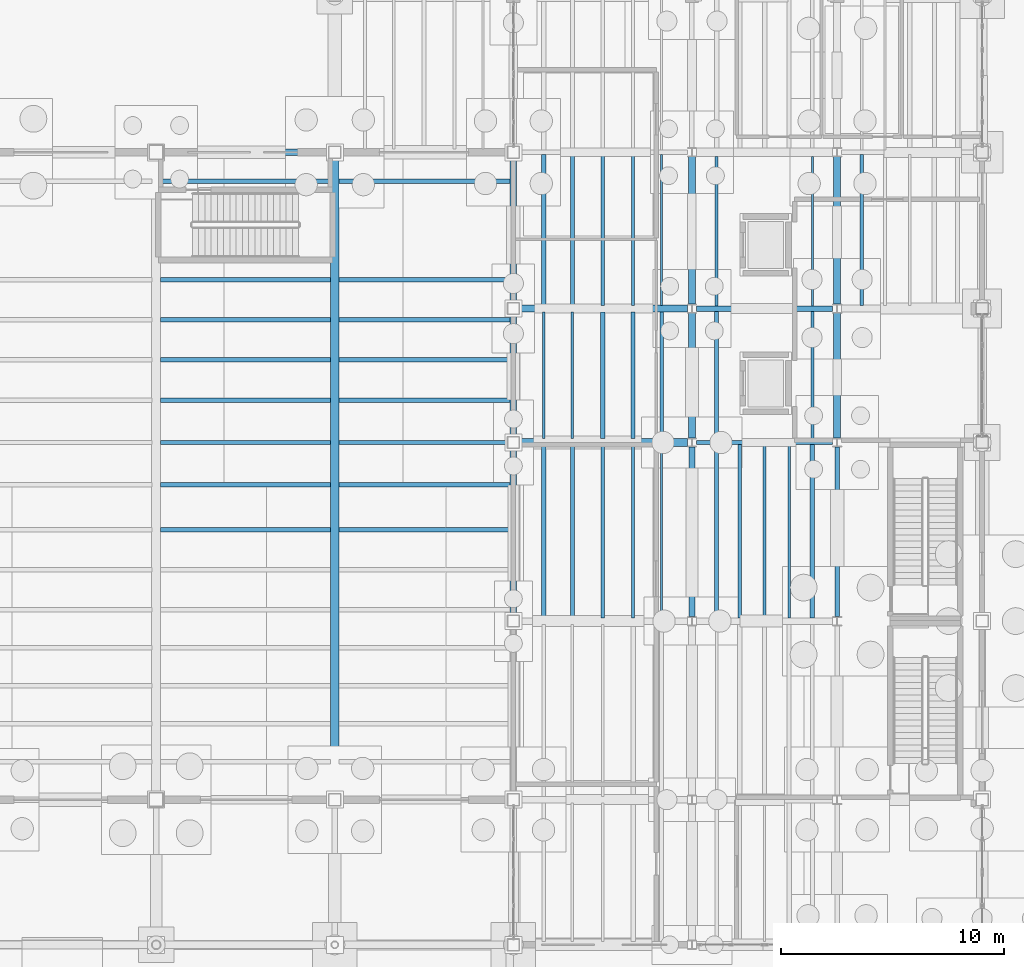
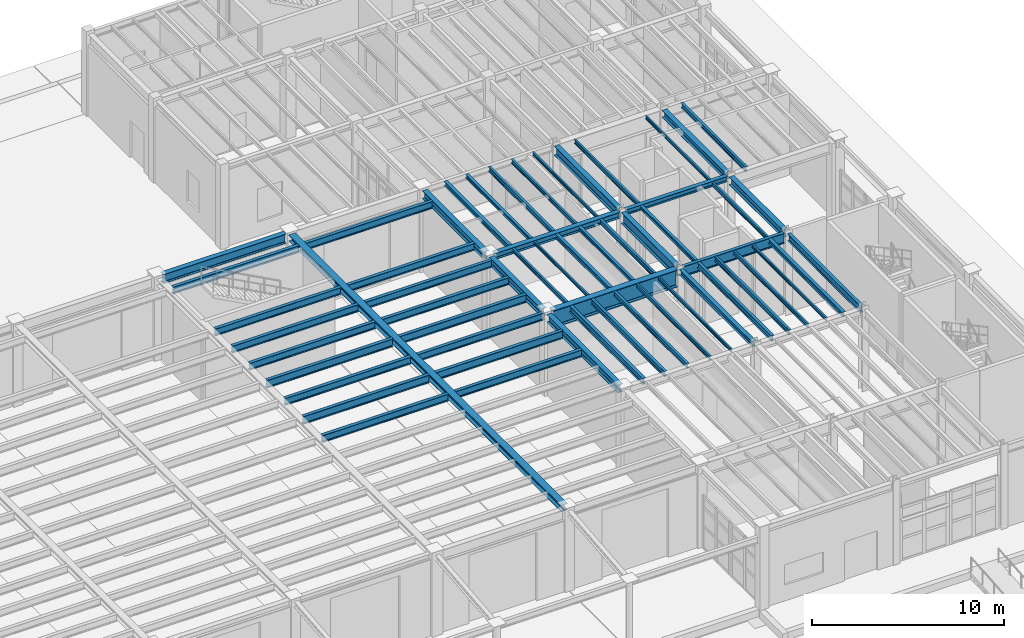
# One storey, part 42 of 86: 56 beams.
"""IFC4 building model written with IfcOpenShell, lengths in metres."""

from ifc_helpers import new_model, si_unit, direction, frame, origin, origin_2d, place, context, subcontext, project, spatial, i_section, extrude, material, material_profile, profile_set, type_object, element, save


model = new_model("IFC4")

# Units and contexts
model_context = context("Model", 3, precision=1e-05, world=origin(), true_north=direction((0.0, 1.0)))
body_context = subcontext(model_context, "Body", "Model", "MODEL_VIEW")
ifc_project = project(units=[si_unit("LENGTHUNIT", "METRE"), si_unit("AREAUNIT", "SQUARE_METRE"), si_unit("VOLUMEUNIT", "CUBIC_METRE"), si_unit("PLANEANGLEUNIT", "RADIAN"), si_unit("MASSUNIT", "GRAM", prefix="KILO"), si_unit("THERMODYNAMICTEMPERATUREUNIT", "KELVIN"), si_unit("POWERUNIT", "WATT")], contexts=[model_context])

# Site, building, storey
site_placement = place(None, origin())
site = spatial("IfcSite", under=ifc_project, at=site_placement, CompositionType="ELEMENT")
building_placement = place(site_placement, origin())
building = spatial("IfcBuilding", under=site, at=building_placement, Name="Zhenchuan Central Fire Station", CompositionType="ELEMENT")
storey_placement = place(building_placement, frame((0.0, 0.0, 0.449951171875)))
storey = spatial("IfcBuildingStorey", under=building, at=storey_placement, Name="L01", CompositionType="ELEMENT", Elevation=0.449951171875)

# Beams
ifc_material = material(Name="Steel Q355B", Category="steel")
ifc_material_profile_1 = material_profile(ifc_material, i_section(OverallWidth=0.25, OverallDepth=0.340087890625, WebThickness=0.009033203125, FlangeThickness=0.013916015625, FilletRadius=0.01806640625, at=origin_2d()), Name="HM 340x250")
ifc_profile_set_1 = profile_set([ifc_material_profile_1], Name="Steel Q355B")
beam_type_1 = type_object("IfcBeamType", Name="BM-HM340", PredefinedType="BEAM", material=ifc_profile_set_1)
beam_1_placement = place(storey_placement, frame((148.199951171875, 28.5, 5.030029296875), z_axis=(1.0, 0.0, 0.0), x_axis=(0.0, 1.0, 0.0)))
element("IfcBeam", 1, at=beam_1_placement, inside=storey, type_object=beam_type_1, Name="L02 Girder EW 0051", PredefinedType="BEAM", context=body_context, shape_type="SweptSolid", body=[
    extrude(i_section(OverallWidth=0.25, OverallDepth=0.340087890625, WebThickness=0.009033203125, FlangeThickness=0.013916015625, FilletRadius=0.01806640625, at=origin_2d()), origin(), (0.0, 0.0, 1.0), 6.10009765625),
])
beam_2_placement = place(storey_placement, frame((148.0, 14.699951171875, 5.030029296875), z_axis=(0.0, 1.0, 0.0), x_axis=(-1.0, 0.0, 0.0)))
element("IfcBeam", 2, at=beam_2_placement, inside=storey, type_object=beam_type_1, Name="L02 Girder NS 0163", PredefinedType="BEAM", context=body_context, shape_type="SweptSolid", body=[
    extrude(i_section(OverallWidth=0.25, OverallDepth=0.340087890625, WebThickness=0.009033203125, FlangeThickness=0.013916015625, FilletRadius=0.01806640625, at=origin_2d()), origin(), (0.0, 0.0, 1.0), 7.60009765625),
])
ifc_material_profile_2 = material_profile(ifc_material, i_section(OverallWidth=0.300048828125, OverallDepth=0.389892578125, WebThickness=0.010009765625, FlangeThickness=0.01611328125, FilletRadius=0.02001953125, at=origin_2d()), Name="HM 390x300")
ifc_profile_set_2 = profile_set([ifc_material_profile_2], Name="Steel Q355B")
beam_type_2 = type_object("IfcBeamType", Name="BM-HM390-INT", PredefinedType="BEAM", material=ifc_profile_set_2)
beam_3_placement = place(storey_placement, frame((140.27490234375, 28.5, 5.005126953125), z_axis=(1.0, 0.0, 0.0), x_axis=(0.0, 1.0, 0.0)))
element("IfcBeam", 3, at=beam_3_placement, inside=storey, type_object=beam_type_2, Name="L02 Girder EW 0050", PredefinedType="BEAM", context=body_context, shape_type="SweptSolid", body=[
    extrude(i_section(OverallWidth=0.300048828125, OverallDepth=0.389892578125, WebThickness=0.010009765625, FlangeThickness=0.01611328125, FilletRadius=0.02001953125, at=origin_2d()), origin(), (0.0, 0.0, 1.0), 7.525146484375),
])
ifc_material_profile_3 = material_profile(ifc_material, i_section(OverallWidth=0.300048828125, OverallDepth=0.43994140625, WebThickness=0.010986328125, FlangeThickness=0.01806640625, FilletRadius=0.02197265625, at=origin_2d()), Name="HM 440x300")
ifc_profile_set_3 = profile_set([ifc_material_profile_3], Name="Steel Q355B")
beam_type_3 = type_object("IfcBeamType", Name="BM-HM440-INT", PredefinedType="BEAM", material=ifc_profile_set_3)
beam_4_placement = place(storey_placement, frame((154.5, 28.699951171875, 4.97998046875), z_axis=(0.0, 1.0, 0.0), x_axis=(-1.0, 0.0, 0.0)))
element("IfcBeam", 4, at=beam_4_placement, inside=storey, type_object=beam_type_3, Name="L02 Girder NS 0172", PredefinedType="BEAM", context=body_context, shape_type="SweptSolid", body=[
    extrude(i_section(OverallWidth=0.300048828125, OverallDepth=0.43994140625, WebThickness=0.010986328125, FlangeThickness=0.01806640625, FilletRadius=0.02197265625, at=origin_2d()), origin(), (0.0, 0.0, 1.0), 6.60009765625),
])
ifc_material_profile_4 = material_profile(ifc_material, i_section(OverallWidth=0.300048828125, OverallDepth=0.5, WebThickness=0.010986328125, FlangeThickness=0.01806640625, FilletRadius=0.02197265625, at=origin_2d()), Name="HM 500x300")
ifc_profile_set_4 = profile_set([ifc_material_profile_4], Name="Steel Q355B")
beam_type_4 = type_object("IfcBeamType", Name="BM-HM500-INT", PredefinedType="BEAM", material=ifc_profile_set_4)
beam_5_placement = place(storey_placement, frame((140.0, 14.77490234375, 4.949951171875), z_axis=(0.0, 1.0, 0.0), x_axis=(-1.0, 0.0, 0.0)))
element("IfcBeam", 5, at=beam_5_placement, inside=storey, type_object=beam_type_4, Name="L02 Girder NS 0156", PredefinedType="BEAM", context=body_context, shape_type="SweptSolid", body=[
    extrude(i_section(OverallWidth=0.300048828125, OverallDepth=0.5, WebThickness=0.010986328125, FlangeThickness=0.01806640625, FilletRadius=0.02197265625, at=origin_2d()), origin(), (0.0, 0.0, 1.0), 7.4501953125),
])
beam_6_placement = place(storey_placement, frame((140.0, 22.77490234375, 4.949951171875), z_axis=(0.0, 1.0, 0.0), x_axis=(-1.0, 0.0, 0.0)))
element("IfcBeam", 6, at=beam_6_placement, inside=storey, type_object=beam_type_4, Name="L02 Girder NS 0157", PredefinedType="BEAM", context=body_context, shape_type="SweptSolid", body=[
    extrude(i_section(OverallWidth=0.300048828125, OverallDepth=0.5, WebThickness=0.010986328125, FlangeThickness=0.01806640625, FilletRadius=0.02197265625, at=origin_2d()), origin(), (0.0, 0.0, 1.0), 5.4501953125),
])
beam_7_placement = place(storey_placement, frame((140.0, 28.77490234375, 4.949951171875), z_axis=(0.0, 1.0, 0.0), x_axis=(-1.0, 0.0, 0.0)))
element("IfcBeam", 7, at=beam_7_placement, inside=storey, type_object=beam_type_4, Name="L02 Girder NS 0158", PredefinedType="BEAM", context=body_context, shape_type="SweptSolid", body=[
    extrude(i_section(OverallWidth=0.300048828125, OverallDepth=0.5, WebThickness=0.010986328125, FlangeThickness=0.01806640625, FilletRadius=0.02197265625, at=origin_2d()), origin(), (0.0, 0.0, 1.0), 6.4501953125),
])
beam_8_placement = place(storey_placement, frame((154.5, 22.699951171875, 4.949951171875), z_axis=(0.0, 1.0, 0.0), x_axis=(-1.0, 0.0, 0.0)))
element("IfcBeam", 8, at=beam_8_placement, inside=storey, type_object=beam_type_4, Name="L02 Girder NS 0171", PredefinedType="BEAM", context=body_context, shape_type="SweptSolid", body=[
    extrude(i_section(OverallWidth=0.300048828125, OverallDepth=0.5, WebThickness=0.010986328125, FlangeThickness=0.01806640625, FilletRadius=0.02197265625, at=origin_2d()), origin(), (0.0, 0.0, 1.0), 5.60009765625),
])
ifc_material_profile_5 = material_profile(ifc_material, i_section(OverallWidth=0.300048828125, OverallDepth=0.587890625, WebThickness=0.011962890625, FlangeThickness=0.02001953125, FilletRadius=0.02392578125, at=origin_2d()), Name="HM 588x300")
ifc_profile_set_5 = profile_set([ifc_material_profile_5], Name="Steel Q355B")
beam_type_5 = type_object("IfcBeamType", Name="BM-HM588", PredefinedType="BEAM", material=ifc_profile_set_5)
beam_9_placement = place(storey_placement, frame((124.324951171875, 35.5, 4.906005859375), z_axis=(1.0, 0.0, 0.0), x_axis=(0.0, 1.0, 0.0)))
element("IfcBeam", 9, at=beam_9_placement, inside=storey, type_object=beam_type_5, Name="L02 Girder EW 0067", PredefinedType="BEAM", context=body_context, shape_type="SweptSolid", body=[
    extrude(i_section(OverallWidth=0.300048828125, OverallDepth=0.587890625, WebThickness=0.011962890625, FlangeThickness=0.02001953125, FilletRadius=0.02392578125, at=origin_2d()), origin(), (0.0, 0.0, 1.0), 7.400146484375),
])
beam_10_placement = place(storey_placement, frame((148.0, 28.699951171875, 4.906005859375), z_axis=(0.0, 1.0, 0.0), x_axis=(-1.0, 0.0, 0.0)))
element("IfcBeam", 10, at=beam_10_placement, inside=storey, type_object=beam_type_5, Name="L02 Girder NS 0165", PredefinedType="BEAM", context=body_context, shape_type="SweptSolid", body=[
    extrude(i_section(OverallWidth=0.300048828125, OverallDepth=0.587890625, WebThickness=0.011962890625, FlangeThickness=0.02001953125, FilletRadius=0.02392578125, at=origin_2d()), origin(), (0.0, 0.0, 1.0), 6.60009765625),
])
ifc_material_profile_6 = material_profile(ifc_material, i_section(OverallWidth=0.199951171875, OverallDepth=0.449951171875, WebThickness=0.009033203125, FlangeThickness=0.013916015625, FilletRadius=0.01806640625, at=origin_2d()), Name="HN 450x200")
ifc_profile_set_6 = profile_set([ifc_material_profile_6], Name="Steel Q355B")
beam_type_6 = type_object("IfcBeamType", Name="BM-HN450", PredefinedType="BEAM", material=ifc_profile_set_6)
beam_11_placement = place(storey_placement, frame((154.5, 14.699951171875, 4.97509765625), z_axis=(0.0, 1.0, 0.0), x_axis=(-1.0, 0.0, 0.0)))
element("IfcBeam", 11, at=beam_11_placement, inside=storey, type_object=beam_type_6, Name="L02 Girder NS 0170", PredefinedType="BEAM", context=body_context, shape_type="SweptSolid", body=[
    extrude(i_section(OverallWidth=0.199951171875, OverallDepth=0.449951171875, WebThickness=0.009033203125, FlangeThickness=0.013916015625, FilletRadius=0.01806640625, at=origin_2d()), origin(), (0.0, 0.0, 1.0), 7.60009765625),
])
for number, where, z_axis, x_axis, name in (
    (12, (124.197021484375, 18.60009765625, 4.97509765625), (1.0, 0.0, 0.0), (0.0, 1.0, 0.0), "Appliance Hall Secondary Floor Joist 0949"),
    (13, (124.197021484375, 22.5, 4.97509765625), (1.0, 0.0, 0.0), (0.0, 1.0, 0.0), "Appliance Hall Secondary Floor Joist 0951"),
    (14, (124.197021484375, 26.199951171875, 4.97509765625), (1.0, 0.0, 0.0), (0.0, 1.0, 0.0), "Appliance Hall Secondary Floor Joist 0953"),
    (15, (124.197021484375, 28.0, 4.97509765625), (1.0, 0.0, 0.0), (0.0, 1.0, 0.0), "Appliance Hall Secondary Floor Joist 0954"),
    (16, (124.197021484375, 29.800048828125, 4.97509765625), (1.0, 0.0, 0.0), (0.0, 1.0, 0.0), "Appliance Hall Secondary Floor Joist 0955"),
    (17, (124.197021484375, 34.199951171875, 4.97509765625), (1.0, 0.0, 0.0), (0.0, 1.0, 0.0), "Appliance Hall Secondary Floor Joist 0956"),
):
    element("IfcBeam", number, at=place(storey_placement, frame(where, z_axis=z_axis, x_axis=x_axis)), inside=storey, type_object=beam_type_6, Name=name, PredefinedType="BEAM", context=body_context, shape_type="SweptSolid", body=[
        extrude(i_section(OverallWidth=0.199951171875, OverallDepth=0.449951171875, WebThickness=0.009033203125, FlangeThickness=0.013916015625, FilletRadius=0.01806640625, at=origin_2d()), origin(), (0.0, 0.0, 1.0), 7.60595703125),
    ])
for number, where, z_axis, x_axis, name in (
    (18, (132.197021484375, 18.60009765625, 4.97509765625), (1.0, 0.0, 0.0), (0.0, 1.0, 0.0), "Appliance Hall Secondary Floor Joist 0963"),
    (19, (132.197021484375, 22.5, 4.97509765625), (1.0, 0.0, 0.0), (0.0, 1.0, 0.0), "Appliance Hall Secondary Floor Joist 0965"),
    (20, (132.197021484375, 26.199951171875, 4.97509765625), (1.0, 0.0, 0.0), (0.0, 1.0, 0.0), "Appliance Hall Secondary Floor Joist 0967"),
    (21, (132.197021484375, 28.0, 4.97509765625), (1.0, 0.0, 0.0), (0.0, 1.0, 0.0), "Appliance Hall Secondary Floor Joist 0968"),
    (22, (132.197021484375, 29.800048828125, 4.97509765625), (1.0, 0.0, 0.0), (0.0, 1.0, 0.0), "Appliance Hall Secondary Floor Joist 0969"),
    (23, (132.197021484375, 34.199951171875, 4.97509765625), (1.0, 0.0, 0.0), (0.0, 1.0, 0.0), "Appliance Hall Secondary Floor Joist 0970"),
):
    element("IfcBeam", number, at=place(storey_placement, frame(where, z_axis=z_axis, x_axis=x_axis)), inside=storey, type_object=beam_type_6, Name=name, PredefinedType="BEAM", context=body_context, shape_type="SweptSolid", body=[
        extrude(i_section(OverallWidth=0.199951171875, OverallDepth=0.449951171875, WebThickness=0.009033203125, FlangeThickness=0.013916015625, FilletRadius=0.01806640625, at=origin_2d()), origin(), (0.0, 0.0, 1.0), 7.656005859375),
    ])
ifc_material_profile_7 = material_profile(ifc_material, i_section(OverallWidth=0.199951171875, OverallDepth=0.5, WebThickness=0.010009765625, FlangeThickness=0.01611328125, FilletRadius=0.02001953125, at=origin_2d()), Name="HN 500x200")
ifc_profile_set_7 = profile_set([ifc_material_profile_7], Name="Steel Q355B")
beam_type_7 = type_object("IfcBeamType", Name="BM-HN500-INT", PredefinedType="BEAM", material=ifc_profile_set_7)
for number, where, z_axis, x_axis, name in (
    (24, (124.197021484375, 20.60009765625, 4.949951171875), (1.0, 0.0, 0.0), (0.0, 1.0, 0.0), "Appliance Hall Secondary Floor Joist 0950"),
    (25, (124.197021484375, 24.39990234375, 4.949951171875), (1.0, 0.0, 0.0), (0.0, 1.0, 0.0), "Appliance Hall Secondary Floor Joist 0952"),
):
    element("IfcBeam", number, at=place(storey_placement, frame(where, z_axis=z_axis, x_axis=x_axis)), inside=storey, type_object=beam_type_7, Name=name, PredefinedType="BEAM", context=body_context, shape_type="SweptSolid", body=[
        extrude(i_section(OverallWidth=0.199951171875, OverallDepth=0.5, WebThickness=0.010009765625, FlangeThickness=0.01611328125, FilletRadius=0.02001953125, at=origin_2d()), origin(), (0.0, 0.0, 1.0), 7.60595703125),
    ])
for number, where, z_axis, x_axis, name in (
    (26, (132.197021484375, 20.60009765625, 4.949951171875), (1.0, 0.0, 0.0), (0.0, 1.0, 0.0), "Appliance Hall Secondary Floor Joist 0964"),
    (27, (132.197021484375, 24.39990234375, 4.949951171875), (1.0, 0.0, 0.0), (0.0, 1.0, 0.0), "Appliance Hall Secondary Floor Joist 0966"),
):
    element("IfcBeam", number, at=place(storey_placement, frame(where, z_axis=z_axis, x_axis=x_axis)), inside=storey, type_object=beam_type_7, Name=name, PredefinedType="BEAM", context=body_context, shape_type="SweptSolid", body=[
        extrude(i_section(OverallWidth=0.199951171875, OverallDepth=0.5, WebThickness=0.010009765625, FlangeThickness=0.01611328125, FilletRadius=0.02001953125, at=origin_2d()), origin(), (0.0, 0.0, 1.0), 7.656005859375),
    ])
ifc_material_profile_8 = material_profile(ifc_material, i_section(OverallWidth=0.199951171875, OverallDepth=0.64990234375, WebThickness=0.011962890625, FlangeThickness=0.02001953125, FilletRadius=0.02197265625, at=origin_2d()), Name="HN 650x200")
ifc_profile_set_8 = profile_set([ifc_material_profile_8], Name="Steel Q355B")
beam_type_8 = type_object("IfcBeamType", Name="BM-HN650", PredefinedType="BEAM", material=ifc_profile_set_8)
beam_12_placement = place(storey_placement, frame((148.199951171875, 22.5, 4.875), z_axis=(1.0, 0.0, 0.0), x_axis=(0.0, 1.0, 0.0)))
element("IfcBeam", 28, at=beam_12_placement, inside=storey, type_object=beam_type_8, Name="L02 Girder EW 0043", PredefinedType="BEAM", context=body_context, shape_type="SweptSolid", body=[
    extrude(i_section(OverallWidth=0.199951171875, OverallDepth=0.64990234375, WebThickness=0.011962890625, FlangeThickness=0.02001953125, FilletRadius=0.02197265625, at=origin_2d()), origin(), (0.0, 0.0, 1.0), 6.10009765625),
])
ifc_material_profile_9 = material_profile(ifc_material, i_section(OverallWidth=0.300048828125, OverallDepth=0.699951171875, WebThickness=0.012939453125, FlangeThickness=0.02392578125, FilletRadius=0.02392578125, at=origin_2d()), Name="HN 700x300")
ifc_profile_set_9 = profile_set([ifc_material_profile_9], Name="Steel Q355B")
beam_type_9 = type_object("IfcBeamType", Name="BM-HN700", PredefinedType="BEAM", material=ifc_profile_set_9)
beam_13_placement = place(storey_placement, frame((148.0, 22.699951171875, 4.85009765625), z_axis=(0.0, 1.0, 0.0), x_axis=(-1.0, 0.0, 0.0)))
element("IfcBeam", 29, at=beam_13_placement, inside=storey, type_object=beam_type_9, Name="L02 Girder NS 0164", PredefinedType="BEAM", context=body_context, shape_type="SweptSolid", body=[
    extrude(i_section(OverallWidth=0.300048828125, OverallDepth=0.699951171875, WebThickness=0.012939453125, FlangeThickness=0.02392578125, FilletRadius=0.02392578125, at=origin_2d()), origin(), (0.0, 0.0, 1.0), 5.60009765625),
])
ifc_material_profile_10 = material_profile(ifc_material, i_section(OverallWidth=0.39990234375, OverallDepth=0.39990234375, WebThickness=0.012939453125, FlangeThickness=0.02099609375, FilletRadius=0.02197265625, at=origin_2d()), Name="HW 400x400")
ifc_profile_set_10 = profile_set([ifc_material_profile_10], Name="Steel Q355B")
beam_type_10 = type_object("IfcBeamType", Name="BM-HW400-INT", PredefinedType="BEAM", material=ifc_profile_set_10)
beam_14_placement = place(storey_placement, frame((132.0, 6.77490234375, 5.0), z_axis=(0.0, 1.0, 0.0), x_axis=(-1.0, 0.0, 0.0)))
element("IfcBeam", 30, at=beam_14_placement, inside=storey, type_object=beam_type_10, Name="Pratt Transfer Truss TT-10 Bottom Chord", PredefinedType="BEAM", context=body_context, shape_type="SweptSolid", body=[
    extrude(i_section(OverallWidth=0.39990234375, OverallDepth=0.39990234375, WebThickness=0.012939453125, FlangeThickness=0.02099609375, FilletRadius=0.02197265625, at=origin_2d()), origin(), (0.0, 0.0, 1.0), 28.4501953125),
])
ifc_material_profile_11 = material_profile(ifc_material, i_section(OverallWidth=0.3798828125, OverallDepth=1.10009765625, WebThickness=0.02001953125, FlangeThickness=0.035888671875, FilletRadius=0.02392578125, at=origin_2d()), Name="PG 1100x380")
ifc_profile_set_11 = profile_set([ifc_material_profile_11], Name="Steel Q355B")
beam_type_11 = type_object("IfcBeamType", Name="BM-PG1100", PredefinedType="BEAM", material=ifc_profile_set_11)
beam_15_placement = place(storey_placement, frame((140.27490234375, 22.5, 4.650146484375), z_axis=(1.0, 0.0, 0.0), x_axis=(0.0, 1.0, 0.0)))
element("IfcBeam", 31, at=beam_15_placement, inside=storey, type_object=beam_type_11, Name="L02 Girder EW 0042", PredefinedType="BEAM", context=body_context, shape_type="SweptSolid", body=[
    extrude(i_section(OverallWidth=0.3798828125, OverallDepth=1.10009765625, WebThickness=0.02001953125, FlangeThickness=0.035888671875, FilletRadius=0.02392578125, at=origin_2d()), origin(), (0.0, 0.0, 1.0), 7.525146484375),
])
ifc_material_profile_12 = material_profile(ifc_material, i_section(OverallWidth=0.175048828125, OverallDepth=0.243896484375, WebThickness=0.007080078125, FlangeThickness=0.010986328125, FilletRadius=0.012939453125, at=origin_2d()), Name="HM 244x175")
ifc_profile_set_12 = profile_set([ifc_material_profile_12], Name="Steel Q355B")
beam_type_12 = type_object("IfcBeamType", Name="JS-HM244", PredefinedType="JOIST", material=ifc_profile_set_12)
beam_16_placement = place(storey_placement, frame((145.360107421875, 22.68701171875, 5.078125), z_axis=(0.0, 1.0, 0.0), x_axis=(-1.0, 0.0, 0.0)))
element("IfcBeam", 32, at=beam_16_placement, inside=storey, type_object=beam_type_12, Name="L02 Secondary Joist 0130", PredefinedType="JOIST", context=body_context, shape_type="SweptSolid", body=[
    extrude(i_section(OverallWidth=0.175048828125, OverallDepth=0.243896484375, WebThickness=0.007080078125, FlangeThickness=0.010986328125, FilletRadius=0.012939453125, at=origin_2d()), origin(), (0.0, 0.0, 1.0), 5.666015625),
])
beam_17_placement = place(storey_placement, frame((149.10498046875, 22.596923828125, 5.078125), z_axis=(0.0, 1.0, 0.0), x_axis=(-1.0, 0.0, 0.0)))
element("IfcBeam", 33, at=beam_17_placement, inside=storey, type_object=beam_type_12, Name="L02 Secondary Joist 0132", PredefinedType="JOIST", context=body_context, shape_type="SweptSolid", body=[
    extrude(i_section(OverallWidth=0.175048828125, OverallDepth=0.243896484375, WebThickness=0.007080078125, FlangeThickness=0.010986328125, FilletRadius=0.012939453125, at=origin_2d()), origin(), (0.0, 0.0, 1.0), 5.781005859375),
])
beam_18_placement = place(storey_placement, frame((142.639892578125, 28.64697265625, 5.078125), z_axis=(0.0, 1.0, 0.0), x_axis=(-1.0, 0.0, 0.0)))
element("IfcBeam", 34, at=beam_18_placement, inside=storey, type_object=beam_type_12, Name="L02 Secondary Joist 0165", PredefinedType="JOIST", context=body_context, shape_type="SweptSolid", body=[
    extrude(i_section(OverallWidth=0.175048828125, OverallDepth=0.243896484375, WebThickness=0.007080078125, FlangeThickness=0.010986328125, FilletRadius=0.012939453125, at=origin_2d()), origin(), (0.0, 0.0, 1.0), 6.756103515625),
])
ifc_material_profile_13 = material_profile(ifc_material, i_section(OverallWidth=0.199951171875, OverallDepth=0.2939453125, WebThickness=0.008056640625, FlangeThickness=0.011962890625, FilletRadius=0.01611328125, at=origin_2d()), Name="HM 294x200")
ifc_profile_set_13 = profile_set([ifc_material_profile_13], Name="Steel Q355B")
beam_type_13 = type_object("IfcBeamType", Name="JS-HM294", PredefinedType="JOIST", material=ifc_profile_set_13)
beam_19_placement = place(storey_placement, frame((153.39501953125, 14.64697265625, 5.052978515625), z_axis=(0.0, 1.0, 0.0), x_axis=(-1.0, 0.0, 0.0)))
element("IfcBeam", 35, at=beam_19_placement, inside=storey, type_object=beam_type_13, Name="L02 Secondary Joist 0101", PredefinedType="JOIST", context=body_context, shape_type="SweptSolid", body=[
    extrude(i_section(OverallWidth=0.199951171875, OverallDepth=0.2939453125, WebThickness=0.008056640625, FlangeThickness=0.011962890625, FilletRadius=0.01611328125, at=origin_2d()), origin(), (0.0, 0.0, 1.0), 7.756103515625),
])
beam_20_placement = place(storey_placement, frame((144.0, 22.68701171875, 5.052978515625), z_axis=(0.0, 1.0, 0.0), x_axis=(-1.0, 0.0, 0.0)))
element("IfcBeam", 36, at=beam_20_placement, inside=storey, type_object=beam_type_13, Name="L02 Secondary Joist 0129", PredefinedType="JOIST", context=body_context, shape_type="SweptSolid", body=[
    extrude(i_section(OverallWidth=0.199951171875, OverallDepth=0.2939453125, WebThickness=0.008056640625, FlangeThickness=0.011962890625, FilletRadius=0.01611328125, at=origin_2d()), origin(), (0.0, 0.0, 1.0), 5.666015625),
])
beam_21_placement = place(storey_placement, frame((141.360107421875, 28.64697265625, 5.052978515625), z_axis=(0.0, 1.0, 0.0), x_axis=(-1.0, 0.0, 0.0)))
element("IfcBeam", 37, at=beam_21_placement, inside=storey, type_object=beam_type_13, Name="L02 Secondary Joist 0164", PredefinedType="JOIST", context=body_context, shape_type="SweptSolid", body=[
    extrude(i_section(OverallWidth=0.199951171875, OverallDepth=0.2939453125, WebThickness=0.008056640625, FlangeThickness=0.011962890625, FilletRadius=0.01611328125, at=origin_2d()), origin(), (0.0, 0.0, 1.0), 6.756103515625),
])
ifc_material_profile_14 = material_profile(ifc_material, i_section(OverallWidth=0.10009765625, OverallDepth=0.199951171875, WebThickness=0.005615234375, FlangeThickness=0.008056640625, FilletRadius=0.010986328125, at=origin_2d()), Name="HN 200x100")
ifc_profile_set_14 = profile_set([ifc_material_profile_14], Name="Steel Q355B")
beam_type_14 = type_object("IfcBeamType", Name="JS-HN200", PredefinedType="JOIST", material=ifc_profile_set_14)
beam_22_placement = place(storey_placement, frame((146.639892578125, 14.64697265625, 5.10009765625), z_axis=(0.0, 1.0, 0.0), x_axis=(-1.0, 0.0, 0.0)))
element("IfcBeam", 38, at=beam_22_placement, inside=storey, type_object=beam_type_14, Name="L02 Secondary Joist 0096", PredefinedType="JOIST", context=body_context, shape_type="SweptSolid", body=[
    extrude(i_section(OverallWidth=0.10009765625, OverallDepth=0.199951171875, WebThickness=0.005615234375, FlangeThickness=0.008056640625, FilletRadius=0.010986328125, at=origin_2d()), origin(), (0.0, 0.0, 1.0), 7.666015625),
])
beam_23_placement = place(storey_placement, frame((152.35498046875, 14.64697265625, 5.10009765625), z_axis=(0.0, 1.0, 0.0), x_axis=(-1.0, 0.0, 0.0)))
element("IfcBeam", 39, at=beam_23_placement, inside=storey, type_object=beam_type_14, Name="L02 Secondary Joist 0100", PredefinedType="JOIST", context=body_context, shape_type="SweptSolid", body=[
    extrude(i_section(OverallWidth=0.10009765625, OverallDepth=0.199951171875, WebThickness=0.005615234375, FlangeThickness=0.008056640625, FilletRadius=0.010986328125, at=origin_2d()), origin(), (0.0, 0.0, 1.0), 7.756103515625),
])
beam_24_placement = place(storey_placement, frame((142.639892578125, 22.68701171875, 5.10009765625), z_axis=(0.0, 1.0, 0.0), x_axis=(-1.0, 0.0, 0.0)))
element("IfcBeam", 40, at=beam_24_placement, inside=storey, type_object=beam_type_14, Name="L02 Secondary Joist 0128", PredefinedType="JOIST", context=body_context, shape_type="SweptSolid", body=[
    extrude(i_section(OverallWidth=0.10009765625, OverallDepth=0.199951171875, WebThickness=0.005615234375, FlangeThickness=0.008056640625, FilletRadius=0.010986328125, at=origin_2d()), origin(), (0.0, 0.0, 1.0), 5.666015625),
])
beam_25_placement = place(storey_placement, frame((146.639892578125, 28.64697265625, 5.10009765625), z_axis=(0.0, 1.0, 0.0), x_axis=(-1.0, 0.0, 0.0)))
element("IfcBeam", 41, at=beam_25_placement, inside=storey, type_object=beam_type_14, Name="L02 Secondary Joist 0168", PredefinedType="JOIST", context=body_context, shape_type="SweptSolid", body=[
    extrude(i_section(OverallWidth=0.10009765625, OverallDepth=0.199951171875, WebThickness=0.005615234375, FlangeThickness=0.008056640625, FilletRadius=0.010986328125, at=origin_2d()), origin(), (0.0, 0.0, 1.0), 6.756103515625),
])
beam_26_placement = place(storey_placement, frame((153.39501953125, 28.6220703125, 5.10009765625), z_axis=(0.0, 1.0, 0.0), x_axis=(-1.0, 0.0, 0.0)))
element("IfcBeam", 42, at=beam_26_placement, inside=storey, type_object=beam_type_14, Name="L02 Secondary Joist 0170", PredefinedType="JOIST", context=body_context, shape_type="SweptSolid", body=[
    extrude(i_section(OverallWidth=0.10009765625, OverallDepth=0.199951171875, WebThickness=0.005615234375, FlangeThickness=0.008056640625, FilletRadius=0.010986328125, at=origin_2d()), origin(), (0.0, 0.0, 1.0), 6.69091796875),
])
ifc_material_profile_15 = material_profile(ifc_material, i_section(OverallWidth=0.125, OverallDepth=0.25, WebThickness=0.006103515625, FlangeThickness=0.009033203125, FilletRadius=0.011962890625, at=origin_2d()), Name="HN 250x125")
ifc_profile_set_15 = profile_set([ifc_material_profile_15], Name="Steel Q355B")
beam_type_15 = type_object("IfcBeamType", Name="JS-HN250", PredefinedType="JOIST", material=ifc_profile_set_15)
beam_27_placement = place(storey_placement, frame((145.360107421875, 14.64697265625, 5.074951171875), z_axis=(0.0, 1.0, 0.0), x_axis=(-1.0, 0.0, 0.0)))
element("IfcBeam", 43, at=beam_27_placement, inside=storey, type_object=beam_type_15, Name="L02 Secondary Joist 0095", PredefinedType="JOIST", context=body_context, shape_type="SweptSolid", body=[
    extrude(i_section(OverallWidth=0.125, OverallDepth=0.25, WebThickness=0.006103515625, FlangeThickness=0.009033203125, FilletRadius=0.011962890625, at=origin_2d()), origin(), (0.0, 0.0, 1.0), 7.666015625),
])
beam_28_placement = place(storey_placement, frame((151.25, 14.64697265625, 5.074951171875), z_axis=(0.0, 1.0, 0.0), x_axis=(-1.0, 0.0, 0.0)))
element("IfcBeam", 44, at=beam_28_placement, inside=storey, type_object=beam_type_15, Name="L02 Secondary Joist 0099", PredefinedType="JOIST", context=body_context, shape_type="SweptSolid", body=[
    extrude(i_section(OverallWidth=0.125, OverallDepth=0.25, WebThickness=0.006103515625, FlangeThickness=0.009033203125, FilletRadius=0.011962890625, at=origin_2d()), origin(), (0.0, 0.0, 1.0), 7.756103515625),
])
beam_29_placement = place(storey_placement, frame((141.360107421875, 22.68701171875, 5.074951171875), z_axis=(0.0, 1.0, 0.0), x_axis=(-1.0, 0.0, 0.0)))
element("IfcBeam", 45, at=beam_29_placement, inside=storey, type_object=beam_type_15, Name="L02 Secondary Joist 0127", PredefinedType="JOIST", context=body_context, shape_type="SweptSolid", body=[
    extrude(i_section(OverallWidth=0.125, OverallDepth=0.25, WebThickness=0.006103515625, FlangeThickness=0.009033203125, FilletRadius=0.011962890625, at=origin_2d()), origin(), (0.0, 0.0, 1.0), 5.666015625),
])
beam_30_placement = place(storey_placement, frame((153.39501953125, 22.596923828125, 5.074951171875), z_axis=(0.0, 1.0, 0.0), x_axis=(-1.0, 0.0, 0.0)))
element("IfcBeam", 46, at=beam_30_placement, inside=storey, type_object=beam_type_15, Name="L02 Secondary Joist 0133", PredefinedType="JOIST", context=body_context, shape_type="SweptSolid", body=[
    extrude(i_section(OverallWidth=0.125, OverallDepth=0.25, WebThickness=0.006103515625, FlangeThickness=0.009033203125, FilletRadius=0.011962890625, at=origin_2d()), origin(), (0.0, 0.0, 1.0), 5.781005859375),
])
beam_31_placement = place(storey_placement, frame((145.360107421875, 28.64697265625, 5.074951171875), z_axis=(0.0, 1.0, 0.0), x_axis=(-1.0, 0.0, 0.0)))
element("IfcBeam", 47, at=beam_31_placement, inside=storey, type_object=beam_type_15, Name="L02 Secondary Joist 0167", PredefinedType="JOIST", context=body_context, shape_type="SweptSolid", body=[
    extrude(i_section(OverallWidth=0.125, OverallDepth=0.25, WebThickness=0.006103515625, FlangeThickness=0.009033203125, FilletRadius=0.011962890625, at=origin_2d()), origin(), (0.0, 0.0, 1.0), 6.756103515625),
])
beam_32_placement = place(storey_placement, frame((149.10498046875, 28.6220703125, 5.074951171875), z_axis=(0.0, 1.0, 0.0), x_axis=(-1.0, 0.0, 0.0)))
element("IfcBeam", 48, at=beam_32_placement, inside=storey, type_object=beam_type_15, Name="L02 Secondary Joist 0169", PredefinedType="JOIST", context=body_context, shape_type="SweptSolid", body=[
    extrude(i_section(OverallWidth=0.125, OverallDepth=0.25, WebThickness=0.006103515625, FlangeThickness=0.009033203125, FilletRadius=0.011962890625, at=origin_2d()), origin(), (0.0, 0.0, 1.0), 6.69091796875),
])
ifc_material_profile_16 = material_profile(ifc_material, i_section(OverallWidth=0.14990234375, OverallDepth=0.300048828125, WebThickness=0.006591796875, FlangeThickness=0.009033203125, FilletRadius=0.012939453125, at=origin_2d()), Name="HN 300x150")
ifc_profile_set_16 = profile_set([ifc_material_profile_16], Name="Steel Q355B")
beam_type_16 = type_object("IfcBeamType", Name="JS-HN300", PredefinedType="JOIST", material=ifc_profile_set_16)
beam_33_placement = place(storey_placement, frame((144.0, 14.64697265625, 5.050048828125), z_axis=(0.0, 1.0, 0.0), x_axis=(-1.0, 0.0, 0.0)))
element("IfcBeam", 49, at=beam_33_placement, inside=storey, type_object=beam_type_16, Name="L02 Secondary Joist 0094", PredefinedType="JOIST", context=body_context, shape_type="SweptSolid", body=[
    extrude(i_section(OverallWidth=0.14990234375, OverallDepth=0.300048828125, WebThickness=0.006591796875, FlangeThickness=0.009033203125, FilletRadius=0.012939453125, at=origin_2d()), origin(), (0.0, 0.0, 1.0), 7.666015625),
])
beam_34_placement = place(storey_placement, frame((150.14501953125, 14.64697265625, 5.050048828125), z_axis=(0.0, 1.0, 0.0), x_axis=(-1.0, 0.0, 0.0)))
element("IfcBeam", 50, at=beam_34_placement, inside=storey, type_object=beam_type_16, Name="L02 Secondary Joist 0098", PredefinedType="JOIST", context=body_context, shape_type="SweptSolid", body=[
    extrude(i_section(OverallWidth=0.14990234375, OverallDepth=0.300048828125, WebThickness=0.006591796875, FlangeThickness=0.009033203125, FilletRadius=0.012939453125, at=origin_2d()), origin(), (0.0, 0.0, 1.0), 7.756103515625),
])
beam_35_placement = place(storey_placement, frame((146.639892578125, 22.68701171875, 5.050048828125), z_axis=(0.0, 1.0, 0.0), x_axis=(-1.0, 0.0, 0.0)))
element("IfcBeam", 51, at=beam_35_placement, inside=storey, type_object=beam_type_16, Name="L02 Secondary Joist 0131", PredefinedType="JOIST", context=body_context, shape_type="SweptSolid", body=[
    extrude(i_section(OverallWidth=0.14990234375, OverallDepth=0.300048828125, WebThickness=0.006591796875, FlangeThickness=0.009033203125, FilletRadius=0.012939453125, at=origin_2d()), origin(), (0.0, 0.0, 1.0), 5.666015625),
])
for number, where, z_axis, x_axis, name in (
    (52, (144.0, 28.64697265625, 5.050048828125), (0.0, 1.0, 0.0), (-1.0, 0.0, 0.0), "L02 Secondary Joist 0166"),
    (53, (155.60498046875, 28.64697265625, 5.050048828125), (0.0, 1.0, 0.0), (-1.0, 0.0, 0.0), "L02 Secondary Joist 0171"),
):
    element("IfcBeam", number, at=place(storey_placement, frame(where, z_axis=z_axis, x_axis=x_axis)), inside=storey, type_object=beam_type_16, Name=name, PredefinedType="JOIST", context=body_context, shape_type="SweptSolid", body=[
        extrude(i_section(OverallWidth=0.14990234375, OverallDepth=0.300048828125, WebThickness=0.006591796875, FlangeThickness=0.009033203125, FilletRadius=0.012939453125, at=origin_2d()), origin(), (0.0, 0.0, 1.0), 6.756103515625),
    ])
ifc_material_profile_17 = material_profile(ifc_material, i_section(OverallWidth=0.175048828125, OverallDepth=0.35009765625, WebThickness=0.007080078125, FlangeThickness=0.010986328125, FilletRadius=0.013916015625, at=origin_2d()), Name="HN 350x175")
ifc_profile_set_17 = profile_set([ifc_material_profile_17], Name="Steel Q355B")
beam_type_17 = type_object("IfcBeamType", Name="JS-HN350", PredefinedType="JOIST", material=ifc_profile_set_17)
beam_36_placement = place(storey_placement, frame((142.639892578125, 14.64697265625, 5.025146484375), z_axis=(0.0, 1.0, 0.0), x_axis=(-1.0, 0.0, 0.0)))
element("IfcBeam", 54, at=beam_36_placement, inside=storey, type_object=beam_type_17, Name="L02 Secondary Joist 0093", PredefinedType="JOIST", context=body_context, shape_type="SweptSolid", body=[
    extrude(i_section(OverallWidth=0.175048828125, OverallDepth=0.35009765625, WebThickness=0.007080078125, FlangeThickness=0.010986328125, FilletRadius=0.013916015625, at=origin_2d()), origin(), (0.0, 0.0, 1.0), 7.666015625),
])
beam_37_placement = place(storey_placement, frame((149.10498046875, 14.64697265625, 5.025146484375), z_axis=(0.0, 1.0, 0.0), x_axis=(-1.0, 0.0, 0.0)))
element("IfcBeam", 55, at=beam_37_placement, inside=storey, type_object=beam_type_17, Name="L02 Secondary Joist 0097", PredefinedType="JOIST", context=body_context, shape_type="SweptSolid", body=[
    extrude(i_section(OverallWidth=0.175048828125, OverallDepth=0.35009765625, WebThickness=0.007080078125, FlangeThickness=0.010986328125, FilletRadius=0.013916015625, at=origin_2d()), origin(), (0.0, 0.0, 1.0), 7.756103515625),
])
ifc_material_profile_18 = material_profile(ifc_material, i_section(OverallWidth=0.199951171875, OverallDepth=0.39990234375, WebThickness=0.008056640625, FlangeThickness=0.012939453125, FilletRadius=0.01611328125, at=origin_2d()), Name="HN 400x200")
ifc_profile_set_18 = profile_set([ifc_material_profile_18], Name="Steel Q355B")
beam_type_18 = type_object("IfcBeamType", Name="JS-HN400", PredefinedType="JOIST", material=ifc_profile_set_18)
beam_38_placement = place(storey_placement, frame((141.360107421875, 14.64697265625, 5.0), z_axis=(0.0, 1.0, 0.0), x_axis=(-1.0, 0.0, 0.0)))
element("IfcBeam", 56, at=beam_38_placement, inside=storey, type_object=beam_type_18, Name="L02 Secondary Joist 0092", PredefinedType="JOIST", context=body_context, shape_type="SweptSolid", body=[
    extrude(i_section(OverallWidth=0.199951171875, OverallDepth=0.39990234375, WebThickness=0.008056640625, FlangeThickness=0.012939453125, FilletRadius=0.01611328125, at=origin_2d()), origin(), (0.0, 0.0, 1.0), 7.666015625),
])

save(model, "model.ifc")
